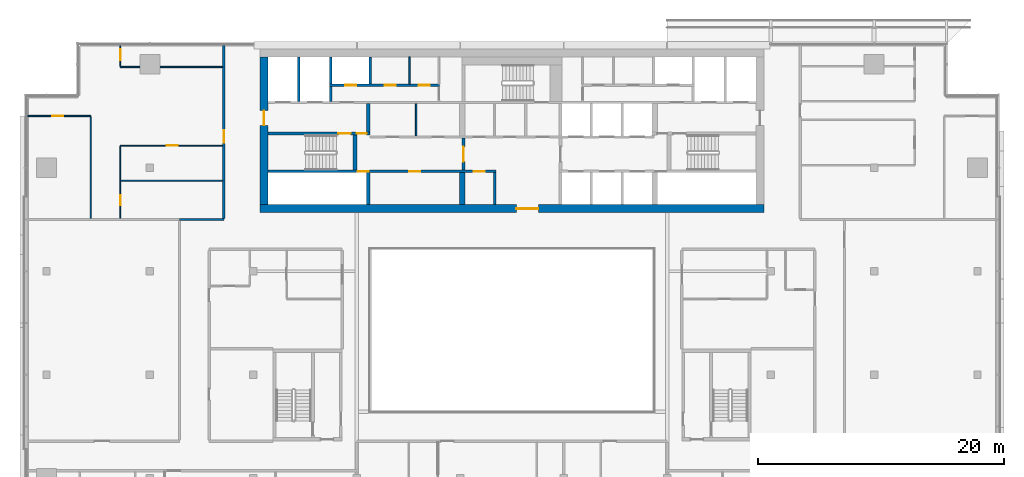
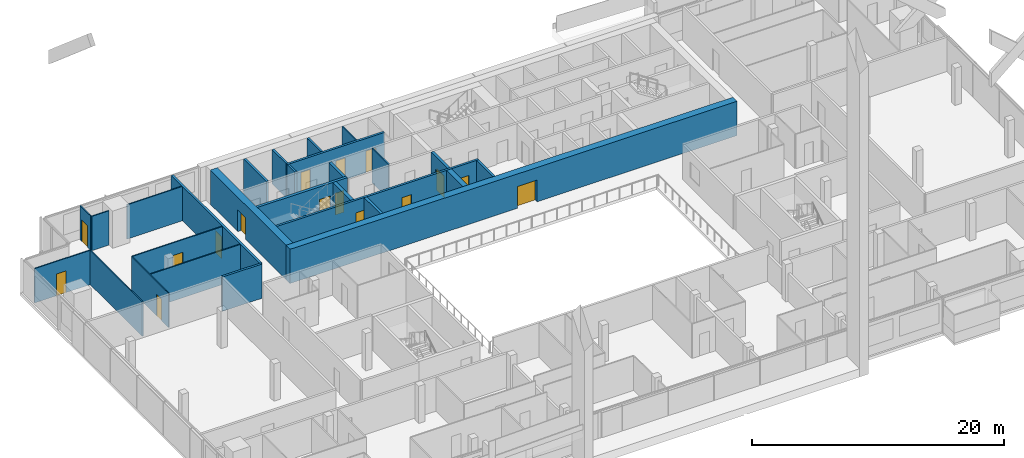
# One storey, part 22 of 31: 27 walls, 16 doors, 16 openings.
"""IFC4 building model written with IfcOpenShell, lengths in metres."""

from ifc_helpers import new_model, si_unit, direction, frame, frame_2d, origin, place, context, subcontext, project, spatial, rectangle, extrude, material, layer, layer_set, type_object, element, fill, save


model = new_model("IFC4")

# Units and contexts
model_context = context("Model", 3, precision=1e-05, world=origin(), true_north=direction((0.0, 1.0)))
body_context = subcontext(model_context, "Body", "Model", "MODEL_VIEW")
ifc_project = project(units=[si_unit("LENGTHUNIT", "METRE"), si_unit("AREAUNIT", "SQUARE_METRE"), si_unit("VOLUMEUNIT", "CUBIC_METRE"), si_unit("PLANEANGLEUNIT", "RADIAN"), si_unit("MASSUNIT", "GRAM", prefix="KILO")], contexts=[model_context])

# Site, building, storey
site_placement = place(None, origin())
site = spatial("IfcSite", under=ifc_project, at=site_placement, CompositionType="ELEMENT")
building_placement = place(site_placement, origin())
building = spatial("IfcBuilding", under=site, at=building_placement, Name="Saffron Gate Tower", CompositionType="ELEMENT")
storey_placement = place(building_placement, frame((0.0, 0.0, 205.5)))
storey = spatial("IfcBuildingStorey", under=building, at=storey_placement, Name="L49", CompositionType="ELEMENT", Elevation=205.5)

# Walls
ifc_material_1 = material(Name="Gypsum board partition on steel studs", Category="steel")
ifc_layer_1 = layer(ifc_material_1, 0.199951171875)
ifc_layer_set_1 = layer_set([ifc_layer_1], Name="CW10 Core partition 200")
wall_type_1 = type_object("IfcWallType", Name="CW10 Core partition 200", PredefinedType="PARTITIONING", material=ifc_layer_set_1)
wall_1_placement = place(storey_placement, frame((86.199951171875, 62.39990234375, 0.0), z_axis=(0.0, 0.0, 1.0), x_axis=(0.0, 1.0, 0.0)))
element("IfcWall", 1, at=wall_1_placement, inside=storey, type_object=wall_type_1, Name="Wall CW10-L49-7", PredefinedType="PARTITIONING", context=body_context, shape_type="SweptSolid", body=[
    extrude(rectangle(XDim=2.60009765625, YDim=0.199951171875, at=frame_2d((1.300048828125, 0.0))), origin(), (0.0, 0.0, 1.0), 3.320068359375),
])
ifc_material_2 = material(Name="Concrete C60", Category="concrete")
ifc_layer_2 = layer(ifc_material_2, 0.25)
ifc_layer_set_2 = layer_set([ifc_layer_2], Name="CW14 RC core wall 250 C60")
wall_type_2 = type_object("IfcWallType", Name="CW14 RC core wall 250 C60", PredefinedType="SOLIDWALL", material=ifc_layer_set_2)
wall_2_placement = place(storey_placement, frame((75.925048828125, 62.39990234375, 0.0), z_axis=(0.0, 0.0, 1.0), x_axis=(0.0, 1.0, 0.0)))
element("IfcWall", 2, at=wall_2_placement, inside=storey, type_object=wall_type_2, Name="Wall CW14-L49-5", PredefinedType="SOLIDWALL", context=body_context, shape_type="SweptSolid", body=[
    extrude(rectangle(XDim=2.60009765625, YDim=0.25, at=frame_2d((1.300048828125, 0.0))), origin(), (0.0, 0.0, 1.0), 3.320068359375),
])

# Wall, opening, door
wall_3_placement = place(storey_placement, frame((83.675048828125, 65.199951171875, 0.0), z_axis=(0.0, 0.0, 1.0), x_axis=(0.0, 1.0, 0.0)))
wall_3 = element("IfcWall", 3, at=wall_3_placement, inside=storey, type_object=wall_type_2, Name="Wall CW14-L49-15", PredefinedType="SOLIDWALL", context=body_context, shape_type="SweptSolid", body=[
    extrude(rectangle(XDim=2.60009765625, YDim=0.25, at=frame_2d((1.300048828125, 0.0))), origin(), (0.0, 0.0, 1.0), 3.320068359375),
])
opening_1_placement = place(wall_3_placement, frame((0.699951171875, 0.0, 0.0)))
opening_1 = element("IfcOpeningElement", 4, at=opening_1_placement, cuts=wall_3, Name="Opening CR-07", PredefinedType="OPENING", context=body_context, shape_type="SweptSolid", body=[
    extrude(rectangle(XDim=1.199951171875, YDim=2.10009765625, at=frame_2d((0.60009765625, 1.050048828125))), frame((0.0, 0.135009765625, 0.0), z_axis=(0.0, -1.0, 0.0), x_axis=(1.0, 0.0, 0.0)), (0.0, 0.0, 1.0), 0.27001953125),
])
ifc_material_3 = material(Name="Steel fire door set", Category="steel")
door_type_1 = type_object("IfcDoorType", Name="CD3 Lobby door 1200x2100 EI 120", OperationType="NOTDEFINED", PredefinedType="DOOR", material=ifc_material_3)
door_1_placement = place(opening_1_placement, origin())
door_1 = element("IfcDoor", 5, at=door_1_placement, inside=storey, type_object=door_type_1, Name="DOOR CR-07", OperationType="SINGLE_SWING_RIGHT", OverallHeight=2.10009765625, OverallWidth=1.199951171875, PredefinedType="DOOR", context=body_context, shape_type="SweptSolid", body=[
    extrude(rectangle(XDim=1.199951171875, YDim=2.10009765625, at=frame_2d((0.60009765625, 1.050048828125))), frame((0.0, 0.02490234375, 0.0), z_axis=(0.0, -1.0, 0.0), x_axis=(1.0, 0.0, 0.0)), (0.0, 0.0, 1.0), 0.050048828125),
])
fill(opening_1, door_1)

# Wall, openings, doors
wall_4_placement = place(storey_placement, frame((67.800048828125, 68.175048828125, 0.0), z_axis=(0.0, 0.0, 1.0), x_axis=(1.0, 0.0, 0.0)))
wall_4 = element("IfcWall", 6, at=wall_4_placement, inside=storey, type_object=wall_type_2, Name="Wall CW14-L49-27", PredefinedType="SOLIDWALL", context=body_context, shape_type="SweptSolid", body=[
    extrude(rectangle(XDim=8.25, YDim=0.25, at=frame_2d((4.125, 0.0))), origin(), (0.0, 0.0, 1.0), 3.320068359375),
])
opening_2_placement = place(wall_4_placement, frame((5.699951171875, 0.0, 0.0)))
opening_2 = element("IfcOpeningElement", 7, at=opening_2_placement, cuts=wall_4, Name="Opening CR-15", PredefinedType="OPENING", context=body_context, shape_type="SweptSolid", body=[
    extrude(rectangle(XDim=1.0, YDim=2.10009765625, at=frame_2d((0.5, 1.050048828125))), frame((0.0, 0.135009765625, 0.0), z_axis=(0.0, -1.0, 0.0), x_axis=(1.0, 0.0, 0.0)), (0.0, 0.0, 1.0), 0.27001953125),
])
opening_3_placement = place(wall_4_placement, frame((7.199951171875, 0.0, 0.0)))
opening_3 = element("IfcOpeningElement", 8, at=opening_3_placement, cuts=wall_4, Name="Opening CR-06", PredefinedType="OPENING", context=body_context, shape_type="SweptSolid", body=[
    extrude(rectangle(XDim=0.800048828125, YDim=2.10009765625, at=frame_2d((0.39990234375, 1.050048828125))), frame((0.0, 0.135009765625, 0.0), z_axis=(0.0, -1.0, 0.0), x_axis=(1.0, 0.0, 0.0)), (0.0, 0.0, 1.0), 0.27001953125),
])
door_type_2 = type_object("IfcDoorType", Name="CD5 Stair door 1000x2100 EI 120", OperationType="NOTDEFINED", PredefinedType="DOOR", material=ifc_material_3)
door_2_placement = place(opening_2_placement, origin())
door_2 = element("IfcDoor", 9, at=door_2_placement, inside=storey, type_object=door_type_2, Name="DOOR CR-15", OperationType="SINGLE_SWING_RIGHT", OverallHeight=2.10009765625, OverallWidth=1.0, PredefinedType="DOOR", context=body_context, shape_type="SweptSolid", body=[
    extrude(rectangle(XDim=1.0, YDim=2.10009765625, at=frame_2d((0.5, 1.050048828125))), frame((0.0, 0.02490234375, 0.0), z_axis=(0.0, -1.0, 0.0), x_axis=(1.0, 0.0, 0.0)), (0.0, 0.0, 1.0), 0.050048828125),
])
fill(opening_2, door_2)
door_type_3 = type_object("IfcDoorType", Name="CD6 Lobby door 800x2100 EI 120", OperationType="NOTDEFINED", PredefinedType="DOOR", material=ifc_material_3)
door_3_placement = place(opening_3_placement, origin())
door_3 = element("IfcDoor", 10, at=door_3_placement, inside=storey, type_object=door_type_3, Name="DOOR CR-06", OperationType="SINGLE_SWING_LEFT", OverallHeight=2.10009765625, OverallWidth=0.800048828125, PredefinedType="DOOR", context=body_context, shape_type="SweptSolid", body=[
    extrude(rectangle(XDim=0.800048828125, YDim=2.10009765625, at=frame_2d((0.39990234375, 1.050048828125))), frame((0.0, 0.02490234375, 0.0), z_axis=(0.0, -1.0, 0.0), x_axis=(1.0, 0.0, 0.0)), (0.0, 0.0, 1.0), 0.050048828125),
])
fill(opening_3, door_3)

# Wall
wall_5_placement = place(storey_placement, frame((75.925048828125, 68.300048828125, 0.0), z_axis=(0.0, 0.0, 1.0), x_axis=(0.0, 1.0, 0.0)))
element("IfcWall", 11, at=wall_5_placement, inside=storey, type_object=wall_type_2, Name="Wall CW14-L49-29", PredefinedType="SOLIDWALL", context=body_context, shape_type="SweptSolid", body=[
    extrude(rectangle(XDim=2.300048828125, YDim=0.25, at=frame_2d((1.14990234375, 0.0))), origin(), (0.0, 0.0, 1.0), 3.320068359375),
])

# Wall, openings, doors
ifc_layer_3 = layer(ifc_material_2, 0.199951171875)
ifc_layer_set_3 = layer_set([ifc_layer_3], Name="CW15 RC core wall 200 C60")
wall_type_3 = type_object("IfcWallType", Name="CW15 RC core wall 200 C60", PredefinedType="SOLIDWALL", material=ifc_layer_set_3)
wall_6_placement = place(storey_placement, frame((67.800048828125, 65.10009765625, 0.0), z_axis=(0.0, 0.0, 1.0), x_axis=(1.0, 0.0, 0.0)))
wall_6 = element("IfcWall", 12, at=wall_6_placement, inside=storey, type_object=wall_type_3, Name="Wall CW15-L49-12", PredefinedType="SOLIDWALL", context=body_context, shape_type="SweptSolid", body=[
    extrude(rectangle(XDim=18.5, YDim=0.199951171875, at=frame_2d((9.25, 0.0))), origin(), (0.0, 0.0, 1.0), 3.320068359375),
])
opening_4_placement = place(wall_6_placement, frame((7.27001953125, 0.0, 0.0)))
opening_4 = element("IfcOpeningElement", 13, at=opening_4_placement, cuts=wall_6, Name="Opening CR-49", PredefinedType="OPENING", context=body_context, shape_type="SweptSolid", body=[
    extrude(rectangle(XDim=0.89990234375, YDim=2.10009765625, at=frame_2d((0.449951171875, 1.050048828125))), frame((0.0, 0.10986328125, 0.0), z_axis=(0.0, -1.0, 0.0), x_axis=(1.0, 0.0, 0.0)), (0.0, 0.0, 1.0), 0.219970703125),
])
opening_5_placement = place(wall_6_placement, frame((11.449951171875, 0.0, 0.0)))
opening_5 = element("IfcOpeningElement", 14, at=opening_5_placement, cuts=wall_6, Name="Opening CR-64", PredefinedType="OPENING", context=body_context, shape_type="SweptSolid", body=[
    extrude(rectangle(XDim=0.89990234375, YDim=2.10009765625, at=frame_2d((0.449951171875, 1.050048828125))), frame((0.0, 0.10986328125, 0.0), z_axis=(0.0, -1.0, 0.0), x_axis=(1.0, 0.0, 0.0)), (0.0, 0.0, 1.0), 0.219970703125),
])
opening_6_placement = place(wall_6_placement, frame((16.699951171875, 0.0, 0.0)))
opening_6 = element("IfcOpeningElement", 15, at=opening_6_placement, cuts=wall_6, Name="Opening CR-69", PredefinedType="OPENING", context=body_context, shape_type="SweptSolid", body=[
    extrude(rectangle(XDim=0.89990234375, YDim=2.10009765625, at=frame_2d((0.449951171875, 1.050048828125))), frame((0.0, 0.10986328125, 0.0), z_axis=(0.0, -1.0, 0.0), x_axis=(1.0, 0.0, 0.0)), (0.0, 0.0, 1.0), 0.219970703125),
])
door_type_4 = type_object("IfcDoorType", Name="CD2 Riser door 900x2100 EI 60", OperationType="NOTDEFINED", PredefinedType="DOOR", material=ifc_material_3)
door_4_placement = place(opening_4_placement, origin())
door_4 = element("IfcDoor", 16, at=door_4_placement, inside=storey, type_object=door_type_4, Name="DOOR CR-49", OperationType="SINGLE_SWING_LEFT", OverallHeight=2.10009765625, OverallWidth=0.89990234375, PredefinedType="DOOR", context=body_context, shape_type="SweptSolid", body=[
    extrude(rectangle(XDim=0.89990234375, YDim=2.10009765625, at=frame_2d((0.449951171875, 1.050048828125))), frame((0.0, 0.02490234375, 0.0), z_axis=(0.0, -1.0, 0.0), x_axis=(1.0, 0.0, 0.0)), (0.0, 0.0, 1.0), 0.050048828125),
])
fill(opening_4, door_4)
door_type_5 = type_object("IfcDoorType", Name="CD9 Room door 900x2100 EI 60", OperationType="NOTDEFINED", PredefinedType="DOOR", material=ifc_material_3)
door_5_placement = place(opening_5_placement, origin())
door_5 = element("IfcDoor", 17, at=door_5_placement, inside=storey, type_object=door_type_5, Name="DOOR CR-64", OperationType="SINGLE_SWING_RIGHT", OverallHeight=2.10009765625, OverallWidth=0.89990234375, PredefinedType="DOOR", context=body_context, shape_type="SweptSolid", body=[
    extrude(rectangle(XDim=0.89990234375, YDim=2.10009765625, at=frame_2d((0.449951171875, 1.050048828125))), frame((0.0, 0.02490234375, 0.0), z_axis=(0.0, -1.0, 0.0), x_axis=(1.0, 0.0, 0.0)), (0.0, 0.0, 1.0), 0.050048828125),
])
fill(opening_5, door_5)
door_6_placement = place(opening_6_placement, origin())
door_6 = element("IfcDoor", 18, at=door_6_placement, inside=storey, type_object=door_type_5, Name="DOOR CR-69", OperationType="SINGLE_SWING_RIGHT", OverallHeight=2.10009765625, OverallWidth=0.89990234375, PredefinedType="DOOR", context=body_context, shape_type="SweptSolid", body=[
    extrude(rectangle(XDim=0.89990234375, YDim=2.10009765625, at=frame_2d((0.449951171875, 1.050048828125))), frame((0.0, 0.02490234375, 0.0), z_axis=(0.0, -1.0, 0.0), x_axis=(1.0, 0.0, 0.0)), (0.0, 0.0, 1.0), 0.050048828125),
])
fill(opening_6, door_6)

# Walls
wall_7_placement = place(storey_placement, frame((70.300048828125, 70.800048828125, 0.0), z_axis=(0.0, 0.0, 1.0), x_axis=(0.0, 1.0, 0.0)))
element("IfcWall", 19, at=wall_7_placement, inside=storey, type_object=wall_type_3, Name="Wall CW15-L49-32", PredefinedType="SOLIDWALL", context=body_context, shape_type="SweptSolid", body=[
    extrude(rectangle(XDim=3.599853515625, YDim=0.199951171875, at=frame_2d((1.7998046875, 0.0))), origin(), (0.0, 0.0, 1.0), 3.320068359375),
])
wall_8_placement = place(storey_placement, frame((72.89990234375, 70.800048828125, 0.0), z_axis=(0.0, 0.0, 1.0), x_axis=(0.0, 1.0, 0.0)))
element("IfcWall", 20, at=wall_8_placement, inside=storey, type_object=wall_type_3, Name="Wall CW15-L49-33", PredefinedType="SOLIDWALL", context=body_context, shape_type="SweptSolid", body=[
    extrude(rectangle(XDim=1.199951171875, YDim=0.199951171875, at=frame_2d((0.60009765625, 0.0))), origin(), (0.0, 0.0, 1.0), 3.320068359375),
])

# Wall, openings, doors
wall_9_placement = place(storey_placement, frame((72.800048828125, 72.10009765625, 0.0), z_axis=(0.0, 0.0, 1.0), x_axis=(1.0, 0.0, 0.0)))
wall_9 = element("IfcWall", 21, at=wall_9_placement, inside=storey, type_object=wall_type_3, Name="Wall CW15-L49-40", PredefinedType="SOLIDWALL", context=body_context, shape_type="SweptSolid", body=[
    extrude(rectangle(XDim=8.919921875, YDim=0.199951171875, at=frame_2d((4.4599609375, 0.0))), origin(), (0.0, 0.0, 1.0), 3.320068359375),
])
opening_7_placement = place(wall_9_placement, frame((1.25, 0.0, 0.0)))
opening_7 = element("IfcOpeningElement", 22, at=opening_7_placement, cuts=wall_9, Name="Opening CR-71", PredefinedType="OPENING", context=body_context, shape_type="SweptSolid", body=[
    extrude(rectangle(XDim=0.89990234375, YDim=2.10009765625, at=frame_2d((0.449951171875, 1.050048828125))), frame((0.0, 0.10986328125, 0.0), z_axis=(0.0, -1.0, 0.0), x_axis=(1.0, 0.0, 0.0)), (0.0, 0.0, 1.0), 0.219970703125),
])
opening_8_placement = place(wall_9_placement, frame((4.449951171875, 0.0, 0.0)))
opening_8 = element("IfcOpeningElement", 23, at=opening_8_placement, cuts=wall_9, Name="Opening CR-55", PredefinedType="OPENING", context=body_context, shape_type="SweptSolid", body=[
    extrude(rectangle(XDim=0.89990234375, YDim=2.10009765625, at=frame_2d((0.449951171875, 1.050048828125))), frame((0.0, 0.10986328125, 0.0), z_axis=(0.0, -1.0, 0.0), x_axis=(1.0, 0.0, 0.0)), (0.0, 0.0, 1.0), 0.219970703125),
])
opening_9_placement = place(wall_9_placement, frame((7.2099609375, 0.0, 0.0)))
opening_9 = element("IfcOpeningElement", 24, at=opening_9_placement, cuts=wall_9, Name="Opening CR-58", PredefinedType="OPENING", context=body_context, shape_type="SweptSolid", body=[
    extrude(rectangle(XDim=0.89990234375, YDim=2.10009765625, at=frame_2d((0.449951171875, 1.050048828125))), frame((0.0, 0.10986328125, 0.0), z_axis=(0.0, -1.0, 0.0), x_axis=(1.0, 0.0, 0.0)), (0.0, 0.0, 1.0), 0.219970703125),
])
door_7_placement = place(opening_7_placement, origin())
door_7 = element("IfcDoor", 25, at=door_7_placement, inside=storey, type_object=door_type_4, Name="DOOR CR-71", OperationType="SINGLE_SWING_LEFT", OverallHeight=2.10009765625, OverallWidth=0.89990234375, PredefinedType="DOOR", context=body_context, shape_type="SweptSolid", body=[
    extrude(rectangle(XDim=0.89990234375, YDim=2.10009765625, at=frame_2d((0.449951171875, 1.050048828125))), frame((0.0, 0.02490234375, 0.0), z_axis=(0.0, -1.0, 0.0), x_axis=(1.0, 0.0, 0.0)), (0.0, 0.0, 1.0), 0.050048828125),
])
fill(opening_7, door_7)
door_8_placement = place(opening_8_placement, origin())
door_8 = element("IfcDoor", 26, at=door_8_placement, inside=storey, type_object=door_type_5, Name="DOOR CR-55", OperationType="SINGLE_SWING_LEFT", OverallHeight=2.10009765625, OverallWidth=0.89990234375, PredefinedType="DOOR", context=body_context, shape_type="SweptSolid", body=[
    extrude(rectangle(XDim=0.89990234375, YDim=2.10009765625, at=frame_2d((0.449951171875, 1.050048828125))), frame((0.0, 0.02490234375, 0.0), z_axis=(0.0, -1.0, 0.0), x_axis=(1.0, 0.0, 0.0)), (0.0, 0.0, 1.0), 0.050048828125),
])
fill(opening_8, door_8)
door_9_placement = place(opening_9_placement, origin())
door_9 = element("IfcDoor", 27, at=door_9_placement, inside=storey, type_object=door_type_5, Name="DOOR CR-58", OperationType="SINGLE_SWING_LEFT", OverallHeight=2.10009765625, OverallWidth=0.89990234375, PredefinedType="DOOR", context=body_context, shape_type="SweptSolid", body=[
    extrude(rectangle(XDim=0.89990234375, YDim=2.10009765625, at=frame_2d((0.449951171875, 1.050048828125))), frame((0.0, 0.02490234375, 0.0), z_axis=(0.0, -1.0, 0.0), x_axis=(1.0, 0.0, 0.0)), (0.0, 0.0, 1.0), 0.050048828125),
])
fill(opening_9, door_9)

# Walls
for number, where, z_axis, x_axis, name in (
    (28, (72.89990234375, 72.199951171875, 0.0), (0.0, 0.0, 1.0), (0.0, 1.0, 0.0), "Wall CW15-L49-42"),
    (29, (76.10009765625, 72.199951171875, 0.0), (0.0, 0.0, 1.0), (0.0, 1.0, 0.0), "Wall CW15-L49-43"),
):
    element("IfcWall", number, at=place(storey_placement, frame(where, z_axis=z_axis, x_axis=x_axis)), inside=storey, type_object=wall_type_3, Name=name, PredefinedType="SOLIDWALL", context=body_context, shape_type="SweptSolid", body=[
        extrude(rectangle(XDim=2.199951171875, YDim=0.199951171875, at=frame_2d((1.10009765625, 0.0))), origin(), (0.0, 0.0, 1.0), 3.320068359375),
    ])
ifc_layer_4 = layer(ifc_material_2, 0.449951171875)
ifc_layer_set_4 = layer_set([ifc_layer_4], Name="CW16 RC core wall 450 C60")
wall_type_4 = type_object("IfcWallType", Name="CW16 RC core wall 450 C60", PredefinedType="SOLIDWALL", material=ifc_layer_set_4)
wall_10_placement = place(storey_placement, frame((83.574951171875, 62.39990234375, 0.0), z_axis=(0.0, 0.0, 1.0), x_axis=(0.0, 1.0, 0.0)))
element("IfcWall", 30, at=wall_10_placement, inside=storey, type_object=wall_type_4, Name="Wall CW16-L49-6", PredefinedType="SOLIDWALL", context=body_context, shape_type="SweptSolid", body=[
    extrude(rectangle(XDim=2.60009765625, YDim=0.449951171875, at=frame_2d((1.300048828125, 0.0))), origin(), (0.0, 0.0, 1.0), 3.320068359375),
])
ifc_layer_5 = layer(ifc_material_2, 0.300048828125)
ifc_layer_set_5 = layer_set([ifc_layer_5], Name="CW17 RC core wall 300 C60")
wall_type_5 = type_object("IfcWallType", Name="CW17 RC core wall 300 C60", PredefinedType="SOLIDWALL", material=ifc_layer_set_5)
wall_11_placement = place(storey_placement, frame((74.85009765625, 65.199951171875, 0.0), z_axis=(0.0, 0.0, 1.0), x_axis=(0.0, 1.0, 0.0)))
element("IfcWall", 31, at=wall_11_placement, inside=storey, type_object=wall_type_5, Name="Wall CW17-L49-14", PredefinedType="SOLIDWALL", context=body_context, shape_type="SweptSolid", body=[
    extrude(rectangle(XDim=2.85009765625, YDim=0.300048828125, at=frame_2d((1.425048828125, 0.0))), origin(), (0.0, 0.0, 1.0), 3.320068359375),
])

# Wall, opening, door
ifc_layer_6 = layer(ifc_material_2, 0.64990234375)
ifc_layer_set_6 = layer_set([ifc_layer_6], Name="CW20 RC core wall 650 C60")
wall_type_6 = type_object("IfcWallType", Name="CW20 RC core wall 650 C60", PredefinedType="SOLIDWALL", material=ifc_layer_set_6)
wall_12_placement = place(storey_placement, frame((67.14990234375, 62.074951171875, 0.0), z_axis=(0.0, 0.0, 1.0), x_axis=(1.0, 0.0, 0.0)))
wall_12 = element("IfcWall", 32, at=wall_12_placement, inside=storey, type_object=wall_type_6, Name="Wall CW20-L49-1", PredefinedType="SOLIDWALL", context=body_context, shape_type="SweptSolid", body=[
    extrude(rectangle(XDim=40.900146484375, YDim=0.64990234375, at=frame_2d((20.4501953125, 0.0))), origin(), (0.0, 0.0, 1.0), 3.320068359375),
])
opening_10_placement = place(wall_12_placement, frame((20.800048828125, 0.0, 0.0)))
opening_10 = element("IfcOpeningElement", 33, at=opening_10_placement, cuts=wall_12, Name="Opening CR-09", PredefinedType="OPENING", context=body_context, shape_type="SweptSolid", body=[
    extrude(rectangle(XDim=1.800048828125, YDim=2.10009765625, at=frame_2d((0.89990234375, 1.050048828125))), frame((0.0, 0.3349609375, 0.0), z_axis=(0.0, -1.0, 0.0), x_axis=(1.0, 0.0, 0.0)), (0.0, 0.0, 1.0), 0.669921875),
])
door_type_6 = type_object("IfcDoorType", Name="CD1 Core entrance door 1800x2100 EI 120", OperationType="NOTDEFINED", PredefinedType="DOOR", material=ifc_material_3)
door_10_placement = place(opening_10_placement, origin())
door_10 = element("IfcDoor", 34, at=door_10_placement, inside=storey, type_object=door_type_6, Name="DOOR CR-09", OperationType="DOUBLE_DOOR_SINGLE_SWING", OverallHeight=2.10009765625, OverallWidth=1.800048828125, PredefinedType="DOOR", context=body_context, shape_type="SweptSolid", body=[
    extrude(rectangle(XDim=1.800048828125, YDim=2.10009765625, at=frame_2d((0.89990234375, 1.050048828125))), frame((0.0, 0.02490234375, 0.0), z_axis=(0.0, -1.0, 0.0), x_axis=(1.0, 0.0, 0.0)), (0.0, 0.0, 1.0), 0.050048828125),
])
fill(opening_10, door_10)

wall_13_placement = place(storey_placement, frame((67.47509765625, 62.39990234375, 0.0), z_axis=(0.0, 0.0, 1.0), x_axis=(0.0, 1.0, 0.0)))
wall_13 = element("IfcWall", 35, at=wall_13_placement, inside=storey, type_object=wall_type_6, Name="Wall CW20-L49-3", PredefinedType="SOLIDWALL", context=body_context, shape_type="SweptSolid", body=[
    extrude(rectangle(XDim=12.0, YDim=0.64990234375, at=frame_2d((6.0, 0.0))), origin(), (0.0, 0.0, 1.0), 3.320068359375),
])
opening_11_placement = place(wall_13_placement, frame((6.449951171875, 0.0, 0.0)))
opening_11 = element("IfcOpeningElement", 36, at=opening_11_placement, cuts=wall_13, Name="Opening CR-10", PredefinedType="OPENING", context=body_context, shape_type="SweptSolid", body=[
    extrude(rectangle(XDim=1.199951171875, YDim=2.10009765625, at=frame_2d((0.60009765625, 1.050048828125))), frame((0.0, 0.3349609375, 0.0), z_axis=(0.0, -1.0, 0.0), x_axis=(1.0, 0.0, 0.0)), (0.0, 0.0, 1.0), 0.669921875),
])
door_type_7 = type_object("IfcDoorType", Name="CD7 Core entrance door 1200x2100 EI 120", OperationType="NOTDEFINED", PredefinedType="DOOR", material=ifc_material_3)
door_11_placement = place(opening_11_placement, origin())
door_11 = element("IfcDoor", 37, at=door_11_placement, inside=storey, type_object=door_type_7, Name="DOOR CR-10", OperationType="SINGLE_SWING_LEFT", OverallHeight=2.10009765625, OverallWidth=1.199951171875, PredefinedType="DOOR", context=body_context, shape_type="SweptSolid", body=[
    extrude(rectangle(XDim=1.199951171875, YDim=2.10009765625, at=frame_2d((0.60009765625, 1.050048828125))), frame((0.0, 0.02490234375, 0.0), z_axis=(0.0, -1.0, 0.0), x_axis=(1.0, 0.0, 0.0)), (0.0, 0.0, 1.0), 0.050048828125),
])
fill(opening_11, door_11)

# Walls
ifc_layer_7 = layer(ifc_material_1, 0.1201171875)
ifc_layer_set_7 = layer_set([ifc_layer_7], Name="CW8 Core partition 120")
wall_type_7 = type_object("IfcWallType", Name="CW8 Core partition 120", PredefinedType="PARTITIONING", material=ifc_layer_set_7)
wall_14_placement = place(storey_placement, frame((79.81005859375, 68.0, 0.0), z_axis=(0.0, 0.0, 1.0), x_axis=(0.0, 1.0, 0.0)))
element("IfcWall", 38, at=wall_14_placement, inside=storey, type_object=wall_type_7, Name="Wall CW8-L49-19", PredefinedType="PARTITIONING", context=body_context, shape_type="SweptSolid", body=[
    extrude(rectangle(XDim=2.60009765625, YDim=0.1201171875, at=frame_2d((1.300048828125, 0.0))), origin(), (0.0, 0.0, 1.0), 3.320068359375),
])
wall_15_placement = place(storey_placement, frame((79.260009765625, 72.199951171875, 0.0), z_axis=(0.0, 0.0, 1.0), x_axis=(0.0, 1.0, 0.0)))
element("IfcWall", 39, at=wall_15_placement, inside=storey, type_object=wall_type_7, Name="Wall CW8-L49-44", PredefinedType="PARTITIONING", context=body_context, shape_type="SweptSolid", body=[
    extrude(rectangle(XDim=2.199951171875, YDim=0.1201171875, at=frame_2d((1.10009765625, 0.0))), origin(), (0.0, 0.0, 1.0), 3.320068359375),
])
ifc_material_4 = material(Name="Plasterboard on steel studs", Category="steel")
ifc_layer_8 = layer(ifc_material_4, 0.10009765625)
ifc_layer_set_8 = layer_set([ifc_layer_8], Name="PW1 Partition 100")
wall_type_8 = type_object("IfcWallType", Name="PW1 Partition 100", PredefinedType="PARTITIONING", material=ifc_layer_set_8)
wall_16_placement = place(storey_placement, frame((55.85009765625, 64.354736328125, 0.0), z_axis=(0.0, 0.0, 1.0), x_axis=(1.0, 0.0, 0.0)))
element("IfcWall", 40, at=wall_16_placement, inside=storey, type_object=wall_type_8, Name="Partition D1-33", PredefinedType="PARTITIONING", context=body_context, shape_type="SweptSolid", body=[
    extrude(rectangle(XDim=8.25, YDim=0.10009765625, at=frame_2d((4.125, 0.0))), origin(), (0.0, 0.0, 1.0), 3.320068359375),
])

# Wall, opening, door
wall_17_placement = place(storey_placement, frame((64.10009765625, 67.199951171875, 0.0), z_axis=(0.0, 0.0, 1.0), x_axis=(-1.0, 0.0, 0.0)))
wall_17 = element("IfcWall", 41, at=wall_17_placement, inside=storey, type_object=wall_type_8, Name="Partition D1-36", PredefinedType="PARTITIONING", context=body_context, shape_type="SweptSolid", body=[
    extrude(rectangle(XDim=8.300048828125, YDim=0.10009765625, at=frame_2d((4.14990234375, 0.0))), origin(), (0.0, 0.0, 1.0), 3.320068359375),
])
opening_12_placement = place(wall_17_placement, frame((3.64990234375, 0.0, 0.0)))
opening_12 = element("IfcOpeningElement", 42, at=opening_12_placement, cuts=wall_17, Name="Opening D1-26", PredefinedType="OPENING", context=body_context, shape_type="SweptSolid", body=[
    extrude(rectangle(XDim=0.89990234375, YDim=2.10009765625, at=frame_2d((0.449951171875, 1.050048828125))), frame((0.0, 0.06005859375, 0.0), z_axis=(0.0, -1.0, 0.0), x_axis=(1.0, 0.0, 0.0)), (0.0, 0.0, 1.0), 0.1201171875),
])
ifc_material_5 = material(Name="Timber door set", Category="wood")
door_type_8 = type_object("IfcDoorType", Name="RD1 Room door 900x2100", OperationType="NOTDEFINED", PredefinedType="DOOR", material=ifc_material_5)
door_12_placement = place(opening_12_placement, origin())
door_12 = element("IfcDoor", 43, at=door_12_placement, inside=storey, type_object=door_type_8, Name="Door D1-26", OperationType="SINGLE_SWING_LEFT", OverallHeight=2.10009765625, OverallWidth=0.89990234375, PredefinedType="DOOR", context=body_context, shape_type="SweptSolid", body=[
    extrude(rectangle(XDim=0.89990234375, YDim=2.10009765625, at=frame_2d((0.449951171875, 1.050048828125))), frame((0.0, 0.02490234375, 0.0), z_axis=(0.0, -1.0, 0.0), x_axis=(1.0, 0.0, 0.0)), (0.0, 0.0, 1.0), 0.050048828125),
])
fill(opening_12, door_12)

wall_18_placement = place(storey_placement, frame((53.39990234375, 69.60009765625, 0.0), z_axis=(0.0, 0.0, 1.0), x_axis=(-1.0, 0.0, 0.0)))
wall_18 = element("IfcWall", 44, at=wall_18_placement, inside=storey, type_object=wall_type_8, Name="Partition D1-38", PredefinedType="PARTITIONING", context=body_context, shape_type="SweptSolid", body=[
    extrude(rectangle(XDim=5.119873046875, YDim=0.10009765625, at=frame_2d((2.56005859375, 0.0))), origin(), (0.0, 0.0, 1.0), 3.320068359375),
])
opening_13_placement = place(wall_18_placement, frame((2.25, 0.0, 0.0)))
opening_13 = element("IfcOpeningElement", 45, at=opening_13_placement, cuts=wall_18, Name="Opening D1-24", PredefinedType="OPENING", context=body_context, shape_type="SweptSolid", body=[
    extrude(rectangle(XDim=0.89990234375, YDim=2.10009765625, at=frame_2d((0.449951171875, 1.050048828125))), frame((0.0, 0.06005859375, 0.0), z_axis=(0.0, -1.0, 0.0), x_axis=(1.0, 0.0, 0.0)), (0.0, 0.0, 1.0), 0.1201171875),
])
door_13_placement = place(opening_13_placement, origin())
door_13 = element("IfcDoor", 46, at=door_13_placement, inside=storey, type_object=door_type_8, Name="Door D1-24", OperationType="SINGLE_SWING_RIGHT", OverallHeight=2.10009765625, OverallWidth=0.89990234375, PredefinedType="DOOR", context=body_context, shape_type="SweptSolid", body=[
    extrude(rectangle(XDim=0.89990234375, YDim=2.10009765625, at=frame_2d((0.449951171875, 1.050048828125))), frame((0.0, 0.02490234375, 0.0), z_axis=(0.0, -1.0, 0.0), x_axis=(1.0, 0.0, 0.0)), (0.0, 0.0, 1.0), 0.050048828125),
])
fill(opening_13, door_13)

# Walls
wall_19_placement = place(storey_placement, frame((55.800048828125, 73.5810546875, 0.0), z_axis=(0.0, 0.0, 1.0), x_axis=(1.0, 0.0, 0.0)))
element("IfcWall", 47, at=wall_19_placement, inside=storey, type_object=wall_type_8, Name="Partition D1-41", PredefinedType="PARTITIONING", context=body_context, shape_type="SweptSolid", body=[
    extrude(rectangle(XDim=1.579833984375, YDim=0.10009765625, at=frame_2d((0.7900390625, 0.0))), origin(), (0.0, 0.0, 1.0), 3.320068359375),
])
wall_20_placement = place(storey_placement, frame((59.02001953125, 73.5810546875, 0.0), z_axis=(0.0, 0.0, 1.0), x_axis=(1.0, 0.0, 0.0)))
element("IfcWall", 48, at=wall_20_placement, inside=storey, type_object=wall_type_8, Name="Partition D1-42", PredefinedType="PARTITIONING", context=body_context, shape_type="SweptSolid", body=[
    extrude(rectangle(XDim=5.080078125, YDim=0.10009765625, at=frame_2d((2.5400390625, 0.0))), origin(), (0.0, 0.0, 1.0), 3.320068359375),
])
wall_21_placement = place(storey_placement, frame((53.39990234375, 69.550048828125, 0.0), z_axis=(0.0, 0.0, 1.0), x_axis=(0.0, -1.0, 0.0)))
element("IfcWall", 49, at=wall_21_placement, inside=storey, type_object=wall_type_8, Name="Partition D1-46", PredefinedType="PARTITIONING", context=body_context, shape_type="SweptSolid", body=[
    extrude(rectangle(XDim=8.25, YDim=0.10009765625, at=frame_2d((4.125, 0.0))), origin(), (0.0, 0.0, 1.0), 3.320068359375),
])

# Wall, opening, door
wall_22_placement = place(storey_placement, frame((55.800048828125, 67.14990234375, 0.0), z_axis=(0.0, 0.0, 1.0), x_axis=(0.0, -1.0, 0.0)))
wall_22 = element("IfcWall", 50, at=wall_22_placement, inside=storey, type_object=wall_type_8, Name="Partition D1-48", PredefinedType="PARTITIONING", context=body_context, shape_type="SweptSolid", body=[
    extrude(rectangle(XDim=5.849853515625, YDim=0.10009765625, at=frame_2d((2.9248046875, 0.0))), origin(), (0.0, 0.0, 1.0), 3.320068359375),
])
opening_14_placement = place(wall_22_placement, frame((3.97265625, 0.0, 0.0)))
opening_14 = element("IfcOpeningElement", 51, at=opening_14_placement, cuts=wall_22, Name="Opening D1-38", PredefinedType="OPENING", context=body_context, shape_type="SweptSolid", body=[
    extrude(rectangle(XDim=0.800048828125, YDim=2.10009765625, at=frame_2d((0.39990234375, 1.050048828125))), frame((0.0, 0.06005859375, 0.0), z_axis=(0.0, -1.0, 0.0), x_axis=(1.0, 0.0, 0.0)), (0.0, 0.0, 1.0), 0.1201171875),
])
door_type_9 = type_object("IfcDoorType", Name="RD2 Bathroom door 800x2100", OperationType="NOTDEFINED", PredefinedType="DOOR", material=ifc_material_5)
door_14_placement = place(opening_14_placement, origin())
door_14 = element("IfcDoor", 52, at=door_14_placement, inside=storey, type_object=door_type_9, Name="Door D1-38", OperationType="SINGLE_SWING_RIGHT", OverallHeight=2.10009765625, OverallWidth=0.800048828125, PredefinedType="DOOR", context=body_context, shape_type="SweptSolid", body=[
    extrude(rectangle(XDim=0.800048828125, YDim=2.10009765625, at=frame_2d((0.39990234375, 1.050048828125))), frame((0.0, 0.02490234375, 0.0), z_axis=(0.0, -1.0, 0.0), x_axis=(1.0, 0.0, 0.0)), (0.0, 0.0, 1.0), 0.050048828125),
])
fill(opening_14, door_14)

wall_23_placement = place(storey_placement, frame((55.800048828125, 75.320068359375, 0.0), z_axis=(0.0, 0.0, 1.0), x_axis=(0.0, -1.0, 0.0)))
wall_23 = element("IfcWall", 53, at=wall_23_placement, inside=storey, type_object=wall_type_8, Name="Partition D1-49", PredefinedType="PARTITIONING", context=body_context, shape_type="SweptSolid", body=[
    extrude(rectangle(XDim=1.68896484375, YDim=0.10009765625, at=frame_2d((0.844482421875, 0.0))), origin(), (0.0, 0.0, 1.0), 3.320068359375),
])
opening_15_placement = place(wall_23_placement, frame((0.279541015625, 0.0, 0.0)))
opening_15 = element("IfcOpeningElement", 54, at=opening_15_placement, cuts=wall_23, Name="Opening D1-25", PredefinedType="OPENING", context=body_context, shape_type="SweptSolid", body=[
    extrude(rectangle(XDim=0.89990234375, YDim=2.10009765625, at=frame_2d((0.449951171875, 1.050048828125))), frame((0.0, 0.06005859375, 0.0), z_axis=(0.0, -1.0, 0.0), x_axis=(1.0, 0.0, 0.0)), (0.0, 0.0, 1.0), 0.1201171875),
])
door_15_placement = place(opening_15_placement, origin())
door_15 = element("IfcDoor", 55, at=door_15_placement, inside=storey, type_object=door_type_8, Name="Door D1-25", OperationType="SINGLE_SWING_LEFT", OverallHeight=2.10009765625, OverallWidth=0.89990234375, PredefinedType="DOOR", context=body_context, shape_type="SweptSolid", body=[
    extrude(rectangle(XDim=0.89990234375, YDim=2.10009765625, at=frame_2d((0.449951171875, 1.050048828125))), frame((0.0, 0.02490234375, 0.0), z_axis=(0.0, -1.0, 0.0), x_axis=(1.0, 0.0, 0.0)), (0.0, 0.0, 1.0), 0.050048828125),
])
fill(opening_15, door_15)

# Wall
ifc_material_6 = material(Name="Clay brick masonry, rendered", Category="masonry")
ifc_layer_9 = layer(ifc_material_6, 0.199951171875)
ifc_layer_set_9 = layer_set([ifc_layer_9], Name="PW3 Corridor wall 200")
wall_type_9 = type_object("IfcWallType", Name="PW3 Corridor wall 200", PredefinedType="PARTITIONING", material=ifc_layer_set_9)
wall_24_placement = place(storey_placement, frame((60.60009765625, 61.199951171875, 0.0), z_axis=(0.0, 0.0, 1.0), x_axis=(1.0, 0.0, 0.0)))
element("IfcWall", 56, at=wall_24_placement, inside=storey, type_object=wall_type_9, Name="Wall D1-29", PredefinedType="PARTITIONING", context=body_context, shape_type="SweptSolid", body=[
    extrude(rectangle(XDim=3.599853515625, YDim=0.199951171875, at=frame_2d((1.7998046875, 0.0))), origin(), (0.0, 0.0, 1.0), 3.320068359375),
])

# Wall, opening, door
wall_25_placement = place(storey_placement, frame((64.199951171875, 61.300048828125, 0.0), z_axis=(0.0, 0.0, 1.0), x_axis=(0.0, 1.0, 0.0)))
wall_25 = element("IfcWall", 57, at=wall_25_placement, inside=storey, type_object=wall_type_9, Name="Wall D1-57", PredefinedType="PARTITIONING", context=body_context, shape_type="SweptSolid", body=[
    extrude(rectangle(XDim=14.02001953125, YDim=0.199951171875, at=frame_2d((7.010009765625, 0.0))), origin(), (0.0, 0.0, 1.0), 3.320068359375),
])
opening_16_placement = place(wall_25_placement, frame((6.14990234375, 0.0, 0.0)))
opening_16 = element("IfcOpeningElement", 58, at=opening_16_placement, cuts=wall_25, Name="Opening D1-5", PredefinedType="OPENING", context=body_context, shape_type="SweptSolid", body=[
    extrude(rectangle(XDim=1.0, YDim=2.10009765625, at=frame_2d((0.5, 1.050048828125))), frame((0.0, 0.10986328125, 0.0), z_axis=(0.0, -1.0, 0.0), x_axis=(1.0, 0.0, 0.0)), (0.0, 0.0, 1.0), 0.219970703125),
])
ifc_material_7 = material(Name="Timber fire door set", Category="wood")
door_type_10 = type_object("IfcDoorType", Name="FD1 Flat entry door 1000x2100", OperationType="NOTDEFINED", PredefinedType="DOOR", material=ifc_material_7)
door_16_placement = place(opening_16_placement, origin())
door_16 = element("IfcDoor", 59, at=door_16_placement, inside=storey, type_object=door_type_10, Name="Door D1-5", OperationType="SINGLE_SWING_LEFT", OverallHeight=2.10009765625, OverallWidth=1.0, PredefinedType="DOOR", context=body_context, shape_type="SweptSolid", body=[
    extrude(rectangle(XDim=1.0, YDim=2.10009765625, at=frame_2d((0.5, 1.050048828125))), frame((0.0, 0.02490234375, 0.0), z_axis=(0.0, -1.0, 0.0), x_axis=(1.0, 0.0, 0.0)), (0.0, 0.0, 1.0), 0.050048828125),
])
fill(opening_16, door_16)

save(model, "model.ifc")
